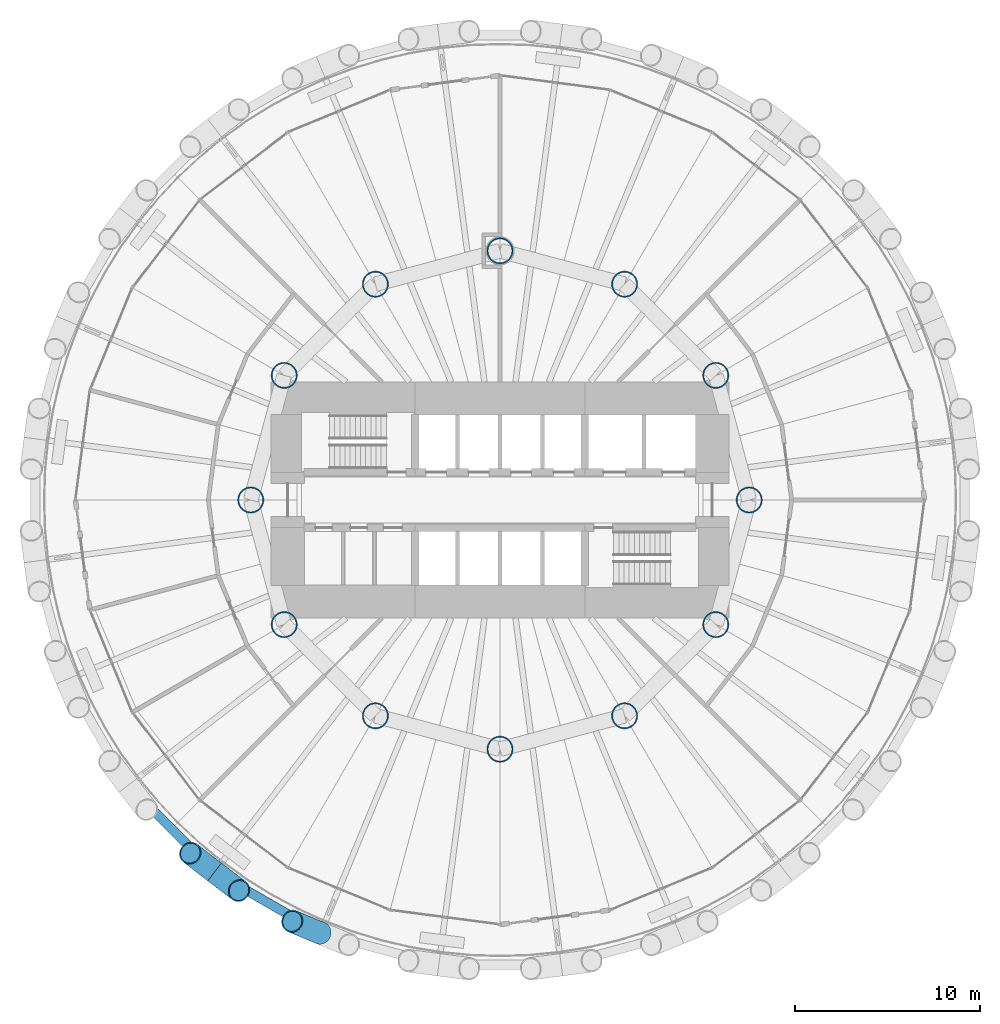
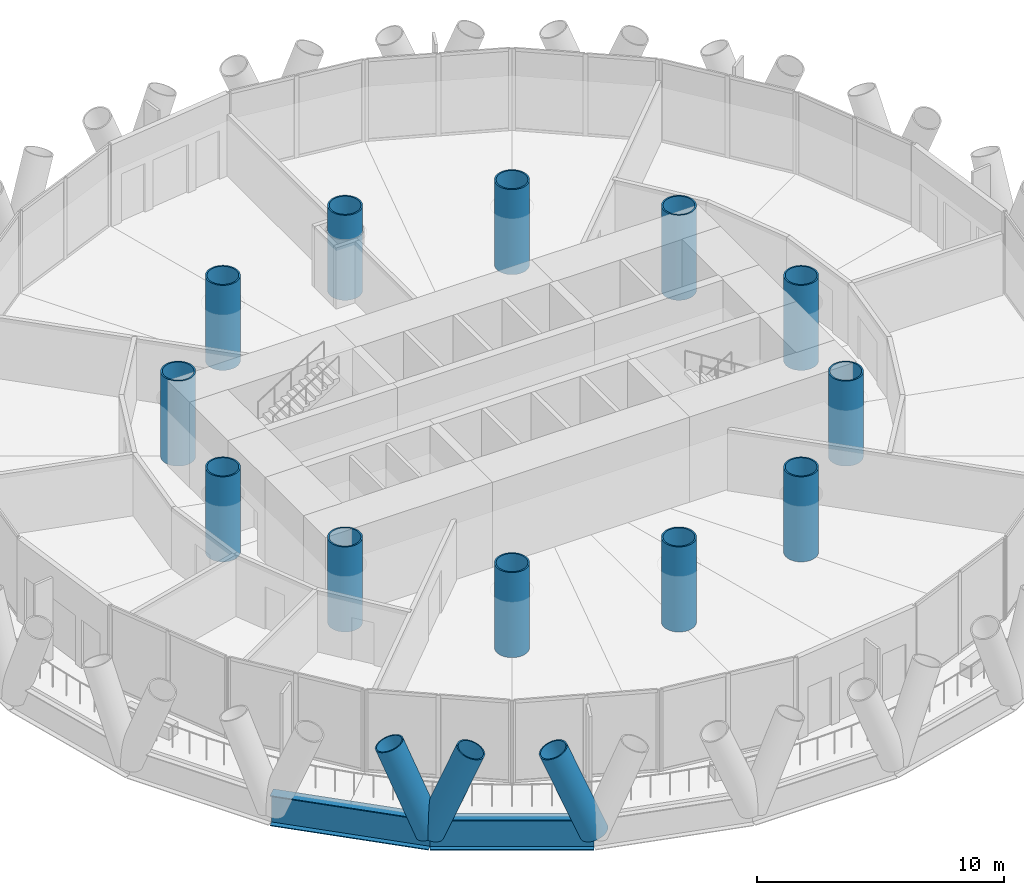
# One storey, part 1 of 14: 12 columns, 3 members, 2 beams.
"""IFC4 building model written with IfcOpenShell, lengths in metres."""

from ifc_helpers import new_model, si_unit, direction, frame, origin, origin_2d, place, context, subcontext, project, spatial, hollow_circle, i_section, extrude, material, material_profile, profile_set, type_object, element, save


model = new_model("IFC4")

# Units and contexts
model_context = context("Model", 3, precision=1e-05, world=origin(), true_north=direction((0.0, 1.0)))
body_context = subcontext(model_context, "Body", "Model", "MODEL_VIEW")
ifc_project = project(units=[si_unit("LENGTHUNIT", "METRE"), si_unit("AREAUNIT", "SQUARE_METRE"), si_unit("VOLUMEUNIT", "CUBIC_METRE"), si_unit("PLANEANGLEUNIT", "RADIAN"), si_unit("MASSUNIT", "GRAM", prefix="KILO")], contexts=[model_context])

# Site, building, storey
site_placement = place(None, origin())
site = spatial("IfcSite", under=ifc_project, at=site_placement, CompositionType="ELEMENT")
building_placement = place(site_placement, origin())
building = spatial("IfcBuilding", under=site, at=building_placement, Name="Qaws Media Tower", CompositionType="ELEMENT")
storey_placement = place(building_placement, frame((0.0, 0.0, 68.0)))
storey = spatial("IfcBuildingStorey", under=building, at=storey_placement, Name="L14", CompositionType="ELEMENT", Elevation=68.0)

# Columns
ifc_material_1 = material(Name="Steel S460", Category="steel")
ifc_material_profile_1 = material_profile(ifc_material_1, hollow_circle(Radius=0.7109375, WallThickness=0.070068359375, at=origin_2d()), Name="CHS 1422x70")
ifc_profile_set_1 = profile_set([ifc_material_profile_1], Name="Steel S460")
column_type = type_object("IfcColumnType", Name="Inner column CHS 1422x70", PredefinedType="COLUMN", material=ifc_profile_set_1)
for number, where, z_axis, x_axis, name in (
    (1, (73.5, 50.0, 0.0), (0.0, 0.0, 1.0), (1.0, 0.0, 0.0), "C5 inner column I01 L14"),
    (2, (71.69140625, 56.75, 0.0), (0.0, 0.0, 1.0), (1.0, 0.0, 0.0), "C5 inner column I02 L14"),
    (3, (66.75, 61.69140625, 0.0), (0.0, 0.0, 1.0), (1.0, 0.0, 0.0), "C5 inner column I03 L14"),
    (4, (60.0, 63.5, 0.0), (0.0, 0.0, 1.0), (1.0, 0.0, 0.0), "C5 inner column I04 L14"),
    (5, (53.25, 61.69140625, 0.0), (0.0, 0.0, 1.0), (1.0, 0.0, 0.0), "C5 inner column I05 L14"),
    (6, (48.30859375, 56.75, 0.0), (0.0, 0.0, 1.0), (1.0, 0.0, 0.0), "C5 inner column I06 L14"),
    (7, (46.5, 50.0, 0.0), (0.0, 0.0, 1.0), (1.0, 0.0, 0.0), "C5 inner column I07 L14"),
    (8, (48.30859375, 43.25, 0.0), (0.0, 0.0, 1.0), (1.0, 0.0, 0.0), "C5 inner column I08 L14"),
    (9, (53.25, 38.30859375, 0.0), (0.0, 0.0, 1.0), (1.0, 0.0, 0.0), "C5 inner column I09 L14"),
    (10, (60.0, 36.5, 0.0), (0.0, 0.0, 1.0), (1.0, 0.0, 0.0), "C5 inner column I10 L14"),
    (11, (66.75, 38.30859375, 0.0), (0.0, 0.0, 1.0), (1.0, 0.0, 0.0), "C5 inner column I11 L14"),
    (12, (71.69140625, 43.25, 0.0), (0.0, 0.0, 1.0), (1.0, 0.0, 0.0), "C5 inner column I12 L14"),
):
    element("IfcColumn", number, at=place(storey_placement, frame(where, z_axis=z_axis, x_axis=x_axis)), inside=storey, type_object=column_type, Name=name, PredefinedType="COLUMN", context=body_context, shape_type="SweptSolid", body=[
        extrude(hollow_circle(Radius=0.7109375, WallThickness=0.070068359375, at=origin_2d()), origin(), (0.0, 0.0, 1.0), 4.199951171875),
    ])

# Members
ifc_material_2 = material(Name="Steel S460", Category="steel")
ifc_material_profile_2 = material_profile(ifc_material_2, hollow_circle(Radius=0.609619140625, WallThickness=0.06005859375, at=origin_2d()), Name="CHS 1219x60")
ifc_profile_set_2 = profile_set([ifc_material_profile_2], Name="Steel S460")
member_type = type_object("IfcMemberType", Name="Diagrid member CHS 1219x60", PredefinedType="USERDEFINED", material=ifc_profile_set_2)
for number, where, z_axis, x_axis, name in (
    (13, (44.537353515625, 29.848876953125, -0.909912109375), (0.292947030243, -0.223506533312, 0.929638030117), (0.60657331823, 0.795027552738, 0.0), "DG1 diagrid L14 A16"),
    (14, (44.537353515625, 29.848876953125, -0.909912109375), (-0.29165813719, 0.22507988538, 0.929663689841), (-0.61095058098, -0.791668736026, 0.0), "DG1 diagrid L14 B16"),
    (15, (50.27978515625, 26.533447265625, -0.909912109375), (-0.340019526305, 0.141908975855, 0.929649699781), (-0.385156871234, -0.922851117213, 0.0), "DG1 diagrid L14 B17"),
):
    element("IfcMember", number, at=place(storey_placement, frame(where, z_axis=z_axis, x_axis=x_axis)), inside=storey, type_object=member_type, Name=name, ObjectType="DIAGRID", PredefinedType="USERDEFINED", context=body_context, shape_type="SweptSolid", body=[
        extrude(hollow_circle(Radius=0.609619140625, WallThickness=0.06005859375, at=origin_2d()), origin(), (0.0, 0.0, 1.0), 4.517822265625),
    ])

# Beams
ifc_material_3 = material(Name="Steel S460", Category="steel")
ifc_material_profile_3 = material_profile(ifc_material_3, i_section(OverallWidth=0.5, OverallDepth=1.5, WebThickness=0.02001953125, FlangeThickness=0.0400390625, at=origin_2d()), Name="PG 1500x500")
ifc_profile_set_3 = profile_set([ifc_material_profile_3], Name="Steel S460")
beam_type = type_object("IfcBeamType", Name="Edge ring beam PG 1500x500", PredefinedType="BEAM", material=ifc_profile_set_3)
beam_1_placement = place(storey_placement, frame((39.848876953125, 34.537353515625, -0.909912109375), z_axis=(0.707106781187, -0.707106781187, 0.0), x_axis=(0.707106781187, 0.707106781187, 0.0)))
element("IfcBeam", 16, at=beam_1_placement, inside=storey, type_object=beam_type, Name="RB4 edge ring beam L14-15", PredefinedType="BEAM", context=body_context, shape_type="SweptSolid", body=[
    extrude(i_section(OverallWidth=0.5, OverallDepth=1.5, WebThickness=0.02001953125, FlangeThickness=0.0400390625, at=origin_2d()), origin(), (0.0, 0.0, 1.0), 6.630615234375),
])
beam_2_placement = place(storey_placement, frame((44.537353515625, 29.848876953125, -0.909912109375), z_axis=(0.866023102884, -0.500003985254, 0.0), x_axis=(0.500003985254, 0.866023102884, 0.0)))
element("IfcBeam", 17, at=beam_2_placement, inside=storey, type_object=beam_type, Name="RB4 edge ring beam L14-16", PredefinedType="BEAM", context=body_context, shape_type="SweptSolid", body=[
    extrude(i_section(OverallWidth=0.5, OverallDepth=1.5, WebThickness=0.02001953125, FlangeThickness=0.0400390625, at=origin_2d()), origin(), (0.0, 0.0, 1.0), 6.630859375),
])

save(model, "model.ifc")
